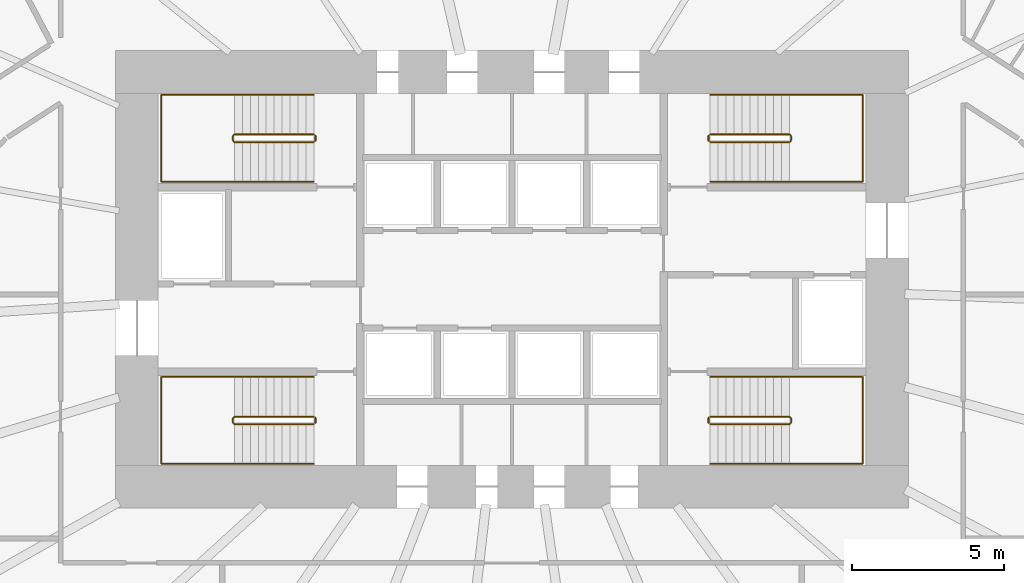
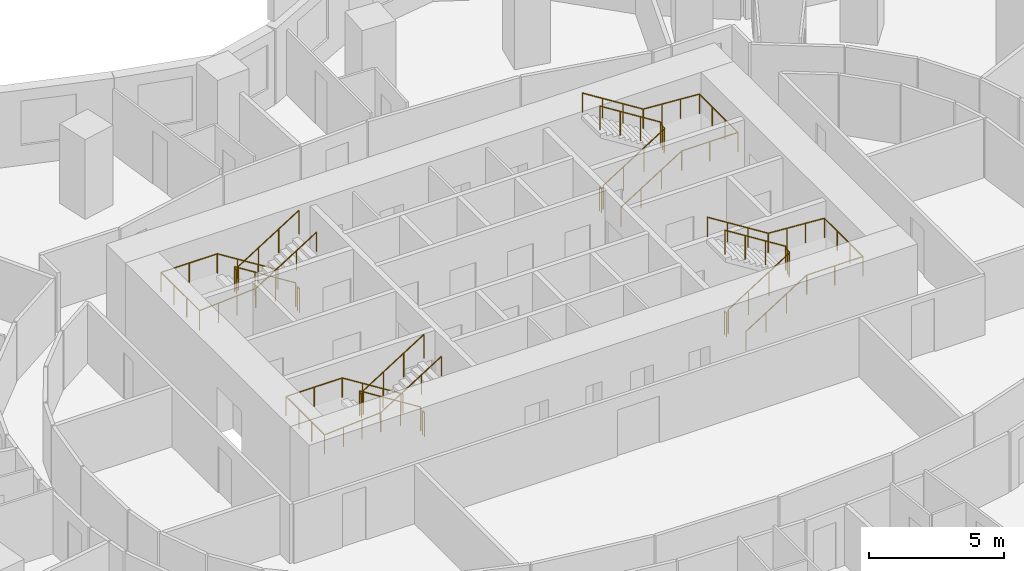
# One storey, part 11 of 11: 12 railings.
"""IFC4 building model written with IfcOpenShell, lengths in metres."""

from ifc_helpers import new_model, si_unit, direction, frame, origin, origin_2d, place, context, subcontext, project, spatial, circle, extrude, material, type_object, element, save


model = new_model("IFC4")

# Units and contexts
model_context = context("Model", 3, precision=1e-05, world=origin(), true_north=direction((0.0, 1.0)))
body_context = subcontext(model_context, "Body", "Model", "MODEL_VIEW")
ifc_project = project(units=[si_unit("LENGTHUNIT", "METRE"), si_unit("AREAUNIT", "SQUARE_METRE"), si_unit("VOLUMEUNIT", "CUBIC_METRE"), si_unit("PLANEANGLEUNIT", "RADIAN"), si_unit("MASSUNIT", "GRAM", prefix="KILO")], contexts=[model_context])

# Site, building, storey
site_placement = place(None, origin())
site = spatial("IfcSite", under=ifc_project, at=site_placement, CompositionType="ELEMENT")
building_placement = place(site_placement, origin())
building = spatial("IfcBuilding", under=site, at=building_placement, Name="Rubra Terraces Tower", CompositionType="ELEMENT")
storey_placement = place(building_placement, frame((0.0, 0.0, 48.300048828125)))
storey = spatial("IfcBuildingStorey", under=building, at=storey_placement, Name="L09", CompositionType="ELEMENT", Elevation=48.300048828125)

# Railings
ifc_material = material(Name="Stainless steel", Category="steel")
railing_type_1 = type_object("IfcRailingType", Name="Core stair guard 1100", PredefinedType="GUARDRAIL", material=ifc_material)
railing_1_placement = place(storey_placement, frame((-6.5, 0.0, 0.16357421875)))
element("IfcRailing", 1, at=railing_1_placement, inside=storey, type_object=railing_type_1, Name="L09 stair S1 guard 1", PredefinedType="GUARDRAIL", context=body_context, shape_type="SweptSolid", body=[
    extrude(circle(Radius=0.02392578125, at=origin_2d()), frame((0.0, 0.0, 1.076171875), z_axis=(-0.846324394277, 0.0, 0.532667832379), x_axis=(0.0, -1.0, 0.0)), (0.0, 0.0, 1.0), 3.072265625),
    extrude(circle(Radius=0.02392578125, at=origin_2d()), frame((-2.60009765625, 0.0, 2.71240234375), z_axis=(-0.705375805398, -0.708833529934, 0.0), x_axis=(0.708833529934, -0.705375805398, 0.0)), (0.0, 0.0, 1.0), 0.070556640625),
    extrude(circle(Radius=0.02392578125, at=origin_2d()), frame((-2.64990234375, -0.050048828125, 2.71240234375), z_axis=(0.0, -1.0, 0.0), x_axis=(1.0, 0.0, 0.0)), (0.0, 0.0, 1.0), 0.14990234375),
    extrude(circle(Radius=0.02392578125, at=origin_2d()), frame((-2.64990234375, -0.199951171875, 2.71240234375), z_axis=(0.279546231943, -0.280916556609, 0.91811752648), x_axis=(0.708833529934, 0.705375805398, 0.0)), (0.0, 0.0, 1.0), 0.17822265625),
    extrude(circle(Radius=0.02392578125, at=origin_2d()), frame((-2.60009765625, -0.25, 2.8759765625), z_axis=(0.846360218416, 0.0, 0.532610909279), x_axis=(0.0, 1.0, 0.0)), (0.0, 0.0, 1.0), 3.072021484375),
    extrude(circle(Radius=0.02099609375, at=origin_2d()), origin(), (0.0, 0.0, 1.0), 1.052001953125),
    extrude(circle(Radius=0.02099609375, at=origin_2d()), frame((-0.86669921875, 0.0, 0.54541015625)), (0.0, 0.0, 1.0), 1.052001953125),
    extrude(circle(Radius=0.02099609375, at=origin_2d()), frame((-1.7333984375, 0.0, 1.091064453125)), (0.0, 0.0, 1.0), 1.052001953125),
    extrude(circle(Radius=0.02099609375, at=origin_2d()), frame((-2.60009765625, 0.0, 1.636474609375)), (0.0, 0.0, 1.0), 1.052001953125),
    extrude(circle(Radius=0.02099609375, at=origin_2d()), frame((-2.64990234375, -0.050048828125, 1.636474609375)), (0.0, 0.0, 1.0), 1.052001953125),
    extrude(circle(Radius=0.02099609375, at=origin_2d()), frame((-2.64990234375, -0.199951171875, 1.636474609375)), (0.0, 0.0, 1.0), 1.052001953125),
    extrude(circle(Radius=0.02099609375, at=origin_2d()), frame((-2.60009765625, -0.25, 1.800048828125)), (0.0, 0.0, 1.0), 1.052001953125),
    extrude(circle(Radius=0.02099609375, at=origin_2d()), frame((-1.7333984375, -0.25, 2.345458984375)), (0.0, 0.0, 1.0), 1.052001953125),
    extrude(circle(Radius=0.02099609375, at=origin_2d()), frame((-0.86669921875, -0.25, 2.890869140625)), (0.0, 0.0, 1.0), 1.052001953125),
    extrude(circle(Radius=0.02099609375, at=origin_2d()), frame((0.0, -0.25, 3.436279296875)), (0.0, 0.0, 1.0), 1.052001953125),
])
railing_2_placement = place(storey_placement, frame((-6.449951171875, -0.050048828125, 0.0)))
element("IfcRailing", 2, at=railing_2_placement, inside=storey, type_object=railing_type_1, Name="L09 stair S1 guard 2", PredefinedType="GUARDRAIL", context=body_context, shape_type="SweptSolid", body=[
    extrude(circle(Radius=0.02392578125, at=origin_2d()), frame((0.0, 0.0, 1.076171875), z_axis=(0.0, -1.0, 0.0), x_axis=(1.0, 0.0, 0.0)), (0.0, 0.0, 1.0), 0.14990234375),
    extrude(circle(Radius=0.02099609375, at=origin_2d()), origin(), (0.0, 0.0, 1.0), 1.052001953125),
    extrude(circle(Radius=0.02099609375, at=origin_2d()), frame((0.0, -0.14990234375, 0.0)), (0.0, 0.0, 1.0), 1.052001953125),
])
railing_3_placement = place(storey_placement, frame((-6.5, 9.25, 0.16357421875)))
element("IfcRailing", 3, at=railing_3_placement, inside=storey, type_object=railing_type_1, Name="L09 stair S2 guard 1", PredefinedType="GUARDRAIL", context=body_context, shape_type="SweptSolid", body=[
    extrude(circle(Radius=0.02392578125, at=origin_2d()), frame((0.0, 0.0, 1.076171875), z_axis=(-0.846324394277, 0.0, 0.532667832379), x_axis=(0.0, -1.0, 0.0)), (0.0, 0.0, 1.0), 3.072265625),
    extrude(circle(Radius=0.02392578125, at=origin_2d()), frame((-2.60009765625, 0.0, 2.71240234375), z_axis=(-0.705375805398, -0.708833529934, 0.0), x_axis=(0.708833529934, -0.705375805398, 0.0)), (0.0, 0.0, 1.0), 0.070556640625),
    extrude(circle(Radius=0.02392578125, at=origin_2d()), frame((-2.64990234375, -0.050048828125, 2.71240234375), z_axis=(0.0, -1.0, 0.0), x_axis=(1.0, 0.0, 0.0)), (0.0, 0.0, 1.0), 0.14990234375),
    extrude(circle(Radius=0.02392578125, at=origin_2d()), frame((-2.64990234375, -0.199951171875, 2.71240234375), z_axis=(0.279546231943, -0.280916556609, 0.91811752648), x_axis=(0.708833529934, 0.705375805398, 0.0)), (0.0, 0.0, 1.0), 0.17822265625),
    extrude(circle(Radius=0.02392578125, at=origin_2d()), frame((-2.60009765625, -0.25, 2.8759765625), z_axis=(0.846360218416, 0.0, 0.532610909279), x_axis=(0.0, 1.0, 0.0)), (0.0, 0.0, 1.0), 3.072021484375),
    extrude(circle(Radius=0.02099609375, at=origin_2d()), origin(), (0.0, 0.0, 1.0), 1.052001953125),
    extrude(circle(Radius=0.02099609375, at=origin_2d()), frame((-0.86669921875, 0.0, 0.54541015625)), (0.0, 0.0, 1.0), 1.052001953125),
    extrude(circle(Radius=0.02099609375, at=origin_2d()), frame((-1.7333984375, 0.0, 1.091064453125)), (0.0, 0.0, 1.0), 1.052001953125),
    extrude(circle(Radius=0.02099609375, at=origin_2d()), frame((-2.60009765625, 0.0, 1.636474609375)), (0.0, 0.0, 1.0), 1.052001953125),
    extrude(circle(Radius=0.02099609375, at=origin_2d()), frame((-2.64990234375, -0.050048828125, 1.636474609375)), (0.0, 0.0, 1.0), 1.052001953125),
    extrude(circle(Radius=0.02099609375, at=origin_2d()), frame((-2.64990234375, -0.199951171875, 1.636474609375)), (0.0, 0.0, 1.0), 1.052001953125),
    extrude(circle(Radius=0.02099609375, at=origin_2d()), frame((-2.60009765625, -0.25, 1.800048828125)), (0.0, 0.0, 1.0), 1.052001953125),
    extrude(circle(Radius=0.02099609375, at=origin_2d()), frame((-1.7333984375, -0.25, 2.345458984375)), (0.0, 0.0, 1.0), 1.052001953125),
    extrude(circle(Radius=0.02099609375, at=origin_2d()), frame((-0.86669921875, -0.25, 2.890869140625)), (0.0, 0.0, 1.0), 1.052001953125),
    extrude(circle(Radius=0.02099609375, at=origin_2d()), frame((0.0, -0.25, 3.436279296875)), (0.0, 0.0, 1.0), 1.052001953125),
])
railing_4_placement = place(storey_placement, frame((-6.449951171875, 9.199951171875, 0.0)))
element("IfcRailing", 4, at=railing_4_placement, inside=storey, type_object=railing_type_1, Name="L09 stair S2 guard 2", PredefinedType="GUARDRAIL", context=body_context, shape_type="SweptSolid", body=[
    extrude(circle(Radius=0.02392578125, at=origin_2d()), frame((0.0, 0.0, 1.076171875), z_axis=(0.0, -1.0, 0.0), x_axis=(1.0, 0.0, 0.0)), (0.0, 0.0, 1.0), 0.14990234375),
    extrude(circle(Radius=0.02099609375, at=origin_2d()), origin(), (0.0, 0.0, 1.0), 1.052001953125),
    extrude(circle(Radius=0.02099609375, at=origin_2d()), frame((0.0, -0.14990234375, 0.0)), (0.0, 0.0, 1.0), 1.052001953125),
])
railing_5_placement = place(storey_placement, frame((6.5, 9.0, 0.16357421875)))
element("IfcRailing", 5, at=railing_5_placement, inside=storey, type_object=railing_type_1, Name="L09 stair S3 guard 1", PredefinedType="GUARDRAIL", context=body_context, shape_type="SweptSolid", body=[
    extrude(circle(Radius=0.02392578125, at=origin_2d()), frame((0.0, 0.0, 1.076171875), z_axis=(0.846324394277, 0.0, 0.532667832379), x_axis=(0.0, 1.0, 0.0)), (0.0, 0.0, 1.0), 3.072265625),
    extrude(circle(Radius=0.02392578125, at=origin_2d()), frame((2.60009765625, 0.0, 2.71240234375), z_axis=(0.705375805398, 0.708833529934, 0.0), x_axis=(-0.708833529934, 0.705375805398, 0.0)), (0.0, 0.0, 1.0), 0.070556640625),
    extrude(circle(Radius=0.02392578125, at=origin_2d()), frame((2.64990234375, 0.050048828125, 2.71240234375), z_axis=(0.0, 1.0, 0.0), x_axis=(-1.0, 0.0, 0.0)), (0.0, 0.0, 1.0), 0.14990234375),
    extrude(circle(Radius=0.02392578125, at=origin_2d()), frame((2.64990234375, 0.199951171875, 2.71240234375), z_axis=(-0.279546231943, 0.280916556609, 0.91811752648), x_axis=(-0.708833529934, -0.705375805398, 0.0)), (0.0, 0.0, 1.0), 0.17822265625),
    extrude(circle(Radius=0.02392578125, at=origin_2d()), frame((2.60009765625, 0.25, 2.8759765625), z_axis=(-0.846360218416, 0.0, 0.532610909279), x_axis=(0.0, -1.0, 0.0)), (0.0, 0.0, 1.0), 3.072021484375),
    extrude(circle(Radius=0.02099609375, at=origin_2d()), origin(), (0.0, 0.0, 1.0), 1.052001953125),
    extrude(circle(Radius=0.02099609375, at=origin_2d()), frame((0.86669921875, 0.0, 0.54541015625)), (0.0, 0.0, 1.0), 1.052001953125),
    extrude(circle(Radius=0.02099609375, at=origin_2d()), frame((1.7333984375, 0.0, 1.091064453125)), (0.0, 0.0, 1.0), 1.052001953125),
    extrude(circle(Radius=0.02099609375, at=origin_2d()), frame((2.60009765625, 0.0, 1.636474609375)), (0.0, 0.0, 1.0), 1.052001953125),
    extrude(circle(Radius=0.02099609375, at=origin_2d()), frame((2.64990234375, 0.050048828125, 1.636474609375)), (0.0, 0.0, 1.0), 1.052001953125),
    extrude(circle(Radius=0.02099609375, at=origin_2d()), frame((2.64990234375, 0.199951171875, 1.636474609375)), (0.0, 0.0, 1.0), 1.052001953125),
    extrude(circle(Radius=0.02099609375, at=origin_2d()), frame((2.60009765625, 0.25, 1.800048828125)), (0.0, 0.0, 1.0), 1.052001953125),
    extrude(circle(Radius=0.02099609375, at=origin_2d()), frame((1.7333984375, 0.25, 2.345458984375)), (0.0, 0.0, 1.0), 1.052001953125),
    extrude(circle(Radius=0.02099609375, at=origin_2d()), frame((0.86669921875, 0.25, 2.890869140625)), (0.0, 0.0, 1.0), 1.052001953125),
    extrude(circle(Radius=0.02099609375, at=origin_2d()), frame((0.0, 0.25, 3.436279296875)), (0.0, 0.0, 1.0), 1.052001953125),
])
railing_6_placement = place(storey_placement, frame((6.449951171875, 9.050048828125, 0.0)))
element("IfcRailing", 6, at=railing_6_placement, inside=storey, type_object=railing_type_1, Name="L09 stair S3 guard 2", PredefinedType="GUARDRAIL", context=body_context, shape_type="SweptSolid", body=[
    extrude(circle(Radius=0.02392578125, at=origin_2d()), frame((0.0, 0.0, 1.076171875), z_axis=(0.0, 1.0, 0.0), x_axis=(-1.0, 0.0, 0.0)), (0.0, 0.0, 1.0), 0.14990234375),
    extrude(circle(Radius=0.02099609375, at=origin_2d()), origin(), (0.0, 0.0, 1.0), 1.052001953125),
    extrude(circle(Radius=0.02099609375, at=origin_2d()), frame((0.0, 0.14990234375, 0.0)), (0.0, 0.0, 1.0), 1.052001953125),
])
railing_7_placement = place(storey_placement, frame((6.5, -0.25, 0.16357421875)))
element("IfcRailing", 7, at=railing_7_placement, inside=storey, type_object=railing_type_1, Name="L09 stair S4 guard 1", PredefinedType="GUARDRAIL", context=body_context, shape_type="SweptSolid", body=[
    extrude(circle(Radius=0.02392578125, at=origin_2d()), frame((0.0, 0.0, 1.076171875), z_axis=(0.846324394277, 0.0, 0.532667832379), x_axis=(0.0, 1.0, 0.0)), (0.0, 0.0, 1.0), 3.072265625),
    extrude(circle(Radius=0.02392578125, at=origin_2d()), frame((2.60009765625, 0.0, 2.71240234375), z_axis=(0.705375805398, 0.708833529934, 0.0), x_axis=(-0.708833529934, 0.705375805398, 0.0)), (0.0, 0.0, 1.0), 0.070556640625),
    extrude(circle(Radius=0.02392578125, at=origin_2d()), frame((2.64990234375, 0.050048828125, 2.71240234375), z_axis=(0.0, 1.0, 0.0), x_axis=(-1.0, 0.0, 0.0)), (0.0, 0.0, 1.0), 0.14990234375),
    extrude(circle(Radius=0.02392578125, at=origin_2d()), frame((2.64990234375, 0.199951171875, 2.71240234375), z_axis=(-0.279546231943, 0.280916556609, 0.91811752648), x_axis=(-0.708833529934, -0.705375805398, 0.0)), (0.0, 0.0, 1.0), 0.17822265625),
    extrude(circle(Radius=0.02392578125, at=origin_2d()), frame((2.60009765625, 0.25, 2.8759765625), z_axis=(-0.846360218416, 0.0, 0.532610909279), x_axis=(0.0, -1.0, 0.0)), (0.0, 0.0, 1.0), 3.072021484375),
    extrude(circle(Radius=0.02099609375, at=origin_2d()), origin(), (0.0, 0.0, 1.0), 1.052001953125),
    extrude(circle(Radius=0.02099609375, at=origin_2d()), frame((0.86669921875, 0.0, 0.54541015625)), (0.0, 0.0, 1.0), 1.052001953125),
    extrude(circle(Radius=0.02099609375, at=origin_2d()), frame((1.7333984375, 0.0, 1.091064453125)), (0.0, 0.0, 1.0), 1.052001953125),
    extrude(circle(Radius=0.02099609375, at=origin_2d()), frame((2.60009765625, 0.0, 1.636474609375)), (0.0, 0.0, 1.0), 1.052001953125),
    extrude(circle(Radius=0.02099609375, at=origin_2d()), frame((2.64990234375, 0.050048828125, 1.636474609375)), (0.0, 0.0, 1.0), 1.052001953125),
    extrude(circle(Radius=0.02099609375, at=origin_2d()), frame((2.64990234375, 0.199951171875, 1.636474609375)), (0.0, 0.0, 1.0), 1.052001953125),
    extrude(circle(Radius=0.02099609375, at=origin_2d()), frame((2.60009765625, 0.25, 1.800048828125)), (0.0, 0.0, 1.0), 1.052001953125),
    extrude(circle(Radius=0.02099609375, at=origin_2d()), frame((1.7333984375, 0.25, 2.345458984375)), (0.0, 0.0, 1.0), 1.052001953125),
    extrude(circle(Radius=0.02099609375, at=origin_2d()), frame((0.86669921875, 0.25, 2.890869140625)), (0.0, 0.0, 1.0), 1.052001953125),
    extrude(circle(Radius=0.02099609375, at=origin_2d()), frame((0.0, 0.25, 3.436279296875)), (0.0, 0.0, 1.0), 1.052001953125),
])
railing_8_placement = place(storey_placement, frame((6.449951171875, -0.199951171875, 0.0)))
element("IfcRailing", 8, at=railing_8_placement, inside=storey, type_object=railing_type_1, Name="L09 stair S4 guard 2", PredefinedType="GUARDRAIL", context=body_context, shape_type="SweptSolid", body=[
    extrude(circle(Radius=0.02392578125, at=origin_2d()), frame((0.0, 0.0, 1.076171875), z_axis=(0.0, 1.0, 0.0), x_axis=(-1.0, 0.0, 0.0)), (0.0, 0.0, 1.0), 0.14990234375),
    extrude(circle(Radius=0.02099609375, at=origin_2d()), origin(), (0.0, 0.0, 1.0), 1.052001953125),
    extrude(circle(Radius=0.02099609375, at=origin_2d()), frame((0.0, 0.14990234375, 0.0)), (0.0, 0.0, 1.0), 1.052001953125),
])
railing_type_2 = type_object("IfcRailingType", Name="Core stair handrail 900", PredefinedType="HANDRAIL", material=ifc_material)
railing_9_placement = place(storey_placement, frame((-6.5, 1.300048828125, 0.16357421875)))
element("IfcRailing", 9, at=railing_9_placement, inside=storey, type_object=railing_type_2, Name="L09 stair S1 handrail 1", PredefinedType="HANDRAIL", context=body_context, shape_type="SweptSolid", body=[
    extrude(circle(Radius=0.02392578125, at=origin_2d()), frame((0.0, 0.0, 0.8759765625), z_axis=(-0.846324394277, 0.0, 0.532667832379), x_axis=(0.0, -1.0, 0.0)), (0.0, 0.0, 1.0), 3.072265625),
    extrude(circle(Radius=0.02392578125, at=origin_2d()), frame((-2.60009765625, 0.0, 2.51220703125), z_axis=(-1.0, 0.0, 0.0), x_axis=(0.0, -1.0, 0.0)), (0.0, 0.0, 1.0), 2.39990234375),
    extrude(circle(Radius=0.02392578125, at=origin_2d()), frame((-5.0, 0.0, 2.51220703125), z_axis=(0.0, -1.0, 0.0), x_axis=(1.0, 0.0, 0.0)), (0.0, 0.0, 1.0), 2.85009765625),
    extrude(circle(Radius=0.02392578125, at=origin_2d()), frame((-5.0, -2.85009765625, 2.51220703125), z_axis=(0.997685257876, 0.0, 0.068000928055), x_axis=(0.0, 1.0, 0.0)), (0.0, 0.0, 1.0), 2.405517578125),
    extrude(circle(Radius=0.02392578125, at=origin_2d()), frame((-2.60009765625, -2.85009765625, 2.67578125), z_axis=(0.846360218416, 0.0, 0.532610909279), x_axis=(0.0, 1.0, 0.0)), (0.0, 0.0, 1.0), 3.072021484375),
    extrude(circle(Radius=0.02099609375, at=origin_2d()), origin(), (0.0, 0.0, 1.0), 0.851806640625),
    extrude(circle(Radius=0.02099609375, at=origin_2d()), frame((-0.86669921875, 0.0, 0.54541015625)), (0.0, 0.0, 1.0), 0.851806640625),
    extrude(circle(Radius=0.02099609375, at=origin_2d()), frame((-1.7333984375, 0.0, 1.091064453125)), (0.0, 0.0, 1.0), 0.851806640625),
    extrude(circle(Radius=0.02099609375, at=origin_2d()), frame((-2.60009765625, 0.0, 1.636474609375)), (0.0, 0.0, 1.0), 0.851806640625),
    extrude(circle(Radius=0.02099609375, at=origin_2d()), frame((-3.800048828125, 0.0, 1.636474609375)), (0.0, 0.0, 1.0), 0.851806640625),
    extrude(circle(Radius=0.02099609375, at=origin_2d()), frame((-5.0, 0.0, 1.636474609375)), (0.0, 0.0, 1.0), 0.851806640625),
    extrude(circle(Radius=0.02099609375, at=origin_2d()), frame((-5.0, -0.949951171875, 1.636474609375)), (0.0, 0.0, 1.0), 0.851806640625),
    extrude(circle(Radius=0.02099609375, at=origin_2d()), frame((-5.0, -1.900146484375, 1.636474609375)), (0.0, 0.0, 1.0), 0.851806640625),
    extrude(circle(Radius=0.02099609375, at=origin_2d()), frame((-5.0, -2.85009765625, 1.636474609375)), (0.0, 0.0, 1.0), 0.851806640625),
    extrude(circle(Radius=0.02099609375, at=origin_2d()), frame((-4.199951171875, -2.85009765625, 1.69091796875)), (0.0, 0.0, 1.0), 0.851806640625),
    extrude(circle(Radius=0.02099609375, at=origin_2d()), frame((-3.400146484375, -2.85009765625, 1.74560546875)), (0.0, 0.0, 1.0), 0.851806640625),
    extrude(circle(Radius=0.02099609375, at=origin_2d()), frame((-2.60009765625, -2.85009765625, 1.800048828125)), (0.0, 0.0, 1.0), 0.851806640625),
    extrude(circle(Radius=0.02099609375, at=origin_2d()), frame((-1.7333984375, -2.85009765625, 2.345458984375)), (0.0, 0.0, 1.0), 0.851806640625),
    extrude(circle(Radius=0.02099609375, at=origin_2d()), frame((-0.86669921875, -2.85009765625, 2.890869140625)), (0.0, 0.0, 1.0), 0.851806640625),
    extrude(circle(Radius=0.02099609375, at=origin_2d()), frame((0.0, -2.85009765625, 3.436279296875)), (0.0, 0.0, 1.0), 0.851806640625),
])
railing_10_placement = place(storey_placement, frame((-6.5, 10.550048828125, 0.16357421875)))
element("IfcRailing", 10, at=railing_10_placement, inside=storey, type_object=railing_type_2, Name="L09 stair S2 handrail 1", PredefinedType="HANDRAIL", context=body_context, shape_type="SweptSolid", body=[
    extrude(circle(Radius=0.02392578125, at=origin_2d()), frame((0.0, 0.0, 0.8759765625), z_axis=(-0.846324394277, 0.0, 0.532667832379), x_axis=(0.0, -1.0, 0.0)), (0.0, 0.0, 1.0), 3.072265625),
    extrude(circle(Radius=0.02392578125, at=origin_2d()), frame((-2.60009765625, 0.0, 2.51220703125), z_axis=(-1.0, 0.0, 0.0), x_axis=(0.0, -1.0, 0.0)), (0.0, 0.0, 1.0), 2.39990234375),
    extrude(circle(Radius=0.02392578125, at=origin_2d()), frame((-5.0, 0.0, 2.51220703125), z_axis=(0.0, -1.0, 0.0), x_axis=(1.0, 0.0, 0.0)), (0.0, 0.0, 1.0), 2.85009765625),
    extrude(circle(Radius=0.02392578125, at=origin_2d()), frame((-5.0, -2.85009765625, 2.51220703125), z_axis=(0.997685257876, 0.0, 0.068000928055), x_axis=(0.0, 1.0, 0.0)), (0.0, 0.0, 1.0), 2.405517578125),
    extrude(circle(Radius=0.02392578125, at=origin_2d()), frame((-2.60009765625, -2.85009765625, 2.67578125), z_axis=(0.846360218416, 0.0, 0.532610909279), x_axis=(0.0, 1.0, 0.0)), (0.0, 0.0, 1.0), 3.072021484375),
    extrude(circle(Radius=0.02099609375, at=origin_2d()), origin(), (0.0, 0.0, 1.0), 0.851806640625),
    extrude(circle(Radius=0.02099609375, at=origin_2d()), frame((-0.86669921875, 0.0, 0.54541015625)), (0.0, 0.0, 1.0), 0.851806640625),
    extrude(circle(Radius=0.02099609375, at=origin_2d()), frame((-1.7333984375, 0.0, 1.091064453125)), (0.0, 0.0, 1.0), 0.851806640625),
    extrude(circle(Radius=0.02099609375, at=origin_2d()), frame((-2.60009765625, 0.0, 1.636474609375)), (0.0, 0.0, 1.0), 0.851806640625),
    extrude(circle(Radius=0.02099609375, at=origin_2d()), frame((-3.800048828125, 0.0, 1.636474609375)), (0.0, 0.0, 1.0), 0.851806640625),
    extrude(circle(Radius=0.02099609375, at=origin_2d()), frame((-5.0, 0.0, 1.636474609375)), (0.0, 0.0, 1.0), 0.851806640625),
    extrude(circle(Radius=0.02099609375, at=origin_2d()), frame((-5.0, -0.949951171875, 1.636474609375)), (0.0, 0.0, 1.0), 0.851806640625),
    extrude(circle(Radius=0.02099609375, at=origin_2d()), frame((-5.0, -1.900146484375, 1.636474609375)), (0.0, 0.0, 1.0), 0.851806640625),
    extrude(circle(Radius=0.02099609375, at=origin_2d()), frame((-5.0, -2.85009765625, 1.636474609375)), (0.0, 0.0, 1.0), 0.851806640625),
    extrude(circle(Radius=0.02099609375, at=origin_2d()), frame((-4.199951171875, -2.85009765625, 1.69091796875)), (0.0, 0.0, 1.0), 0.851806640625),
    extrude(circle(Radius=0.02099609375, at=origin_2d()), frame((-3.400146484375, -2.85009765625, 1.74560546875)), (0.0, 0.0, 1.0), 0.851806640625),
    extrude(circle(Radius=0.02099609375, at=origin_2d()), frame((-2.60009765625, -2.85009765625, 1.800048828125)), (0.0, 0.0, 1.0), 0.851806640625),
    extrude(circle(Radius=0.02099609375, at=origin_2d()), frame((-1.7333984375, -2.85009765625, 2.345458984375)), (0.0, 0.0, 1.0), 0.851806640625),
    extrude(circle(Radius=0.02099609375, at=origin_2d()), frame((-0.86669921875, -2.85009765625, 2.890869140625)), (0.0, 0.0, 1.0), 0.851806640625),
    extrude(circle(Radius=0.02099609375, at=origin_2d()), frame((0.0, -2.85009765625, 3.436279296875)), (0.0, 0.0, 1.0), 0.851806640625),
])
railing_11_placement = place(storey_placement, frame((6.5, 7.699951171875, 0.16357421875)))
element("IfcRailing", 11, at=railing_11_placement, inside=storey, type_object=railing_type_2, Name="L09 stair S3 handrail 1", PredefinedType="HANDRAIL", context=body_context, shape_type="SweptSolid", body=[
    extrude(circle(Radius=0.02392578125, at=origin_2d()), frame((0.0, 0.0, 0.8759765625), z_axis=(0.846324394277, 0.0, 0.532667832379), x_axis=(0.0, 1.0, 0.0)), (0.0, 0.0, 1.0), 3.072265625),
    extrude(circle(Radius=0.02392578125, at=origin_2d()), frame((2.60009765625, 0.0, 2.51220703125), z_axis=(1.0, 0.0, 0.0), x_axis=(0.0, 1.0, 0.0)), (0.0, 0.0, 1.0), 2.39990234375),
    extrude(circle(Radius=0.02392578125, at=origin_2d()), frame((5.0, 0.0, 2.51220703125), z_axis=(0.0, 1.0, 0.0), x_axis=(-1.0, 0.0, 0.0)), (0.0, 0.0, 1.0), 2.85009765625),
    extrude(circle(Radius=0.02392578125, at=origin_2d()), frame((5.0, 2.85009765625, 2.51220703125), z_axis=(-0.997685257876, 0.0, 0.068000928055), x_axis=(0.0, -1.0, 0.0)), (0.0, 0.0, 1.0), 2.405517578125),
    extrude(circle(Radius=0.02392578125, at=origin_2d()), frame((2.60009765625, 2.85009765625, 2.67578125), z_axis=(-0.846360218416, 0.0, 0.532610909279), x_axis=(0.0, -1.0, 0.0)), (0.0, 0.0, 1.0), 3.072021484375),
    extrude(circle(Radius=0.02099609375, at=origin_2d()), origin(), (0.0, 0.0, 1.0), 0.851806640625),
    extrude(circle(Radius=0.02099609375, at=origin_2d()), frame((0.86669921875, 0.0, 0.54541015625)), (0.0, 0.0, 1.0), 0.851806640625),
    extrude(circle(Radius=0.02099609375, at=origin_2d()), frame((1.7333984375, 0.0, 1.091064453125)), (0.0, 0.0, 1.0), 0.851806640625),
    extrude(circle(Radius=0.02099609375, at=origin_2d()), frame((2.60009765625, 0.0, 1.636474609375)), (0.0, 0.0, 1.0), 0.851806640625),
    extrude(circle(Radius=0.02099609375, at=origin_2d()), frame((3.800048828125, 0.0, 1.636474609375)), (0.0, 0.0, 1.0), 0.851806640625),
    extrude(circle(Radius=0.02099609375, at=origin_2d()), frame((5.0, 0.0, 1.636474609375)), (0.0, 0.0, 1.0), 0.851806640625),
    extrude(circle(Radius=0.02099609375, at=origin_2d()), frame((5.0, 0.949951171875, 1.636474609375)), (0.0, 0.0, 1.0), 0.851806640625),
    extrude(circle(Radius=0.02099609375, at=origin_2d()), frame((5.0, 1.900146484375, 1.636474609375)), (0.0, 0.0, 1.0), 0.851806640625),
    extrude(circle(Radius=0.02099609375, at=origin_2d()), frame((5.0, 2.85009765625, 1.636474609375)), (0.0, 0.0, 1.0), 0.851806640625),
    extrude(circle(Radius=0.02099609375, at=origin_2d()), frame((4.199951171875, 2.85009765625, 1.69091796875)), (0.0, 0.0, 1.0), 0.851806640625),
    extrude(circle(Radius=0.02099609375, at=origin_2d()), frame((3.400146484375, 2.85009765625, 1.74560546875)), (0.0, 0.0, 1.0), 0.851806640625),
    extrude(circle(Radius=0.02099609375, at=origin_2d()), frame((2.60009765625, 2.85009765625, 1.800048828125)), (0.0, 0.0, 1.0), 0.851806640625),
    extrude(circle(Radius=0.02099609375, at=origin_2d()), frame((1.7333984375, 2.85009765625, 2.345458984375)), (0.0, 0.0, 1.0), 0.851806640625),
    extrude(circle(Radius=0.02099609375, at=origin_2d()), frame((0.86669921875, 2.85009765625, 2.890869140625)), (0.0, 0.0, 1.0), 0.851806640625),
    extrude(circle(Radius=0.02099609375, at=origin_2d()), frame((0.0, 2.85009765625, 3.436279296875)), (0.0, 0.0, 1.0), 0.851806640625),
])
railing_12_placement = place(storey_placement, frame((6.5, -1.550048828125, 0.16357421875)))
element("IfcRailing", 12, at=railing_12_placement, inside=storey, type_object=railing_type_2, Name="L09 stair S4 handrail 1", PredefinedType="HANDRAIL", context=body_context, shape_type="SweptSolid", body=[
    extrude(circle(Radius=0.02392578125, at=origin_2d()), frame((0.0, 0.0, 0.8759765625), z_axis=(0.846324394277, 0.0, 0.532667832379), x_axis=(0.0, 1.0, 0.0)), (0.0, 0.0, 1.0), 3.072265625),
    extrude(circle(Radius=0.02392578125, at=origin_2d()), frame((2.60009765625, 0.0, 2.51220703125), z_axis=(1.0, 0.0, 0.0), x_axis=(0.0, 1.0, 0.0)), (0.0, 0.0, 1.0), 2.39990234375),
    extrude(circle(Radius=0.02392578125, at=origin_2d()), frame((5.0, 0.0, 2.51220703125), z_axis=(0.0, 1.0, 0.0), x_axis=(-1.0, 0.0, 0.0)), (0.0, 0.0, 1.0), 2.85009765625),
    extrude(circle(Radius=0.02392578125, at=origin_2d()), frame((5.0, 2.85009765625, 2.51220703125), z_axis=(-0.997685257876, 0.0, 0.068000928055), x_axis=(0.0, -1.0, 0.0)), (0.0, 0.0, 1.0), 2.405517578125),
    extrude(circle(Radius=0.02392578125, at=origin_2d()), frame((2.60009765625, 2.85009765625, 2.67578125), z_axis=(-0.846360218416, 0.0, 0.532610909279), x_axis=(0.0, -1.0, 0.0)), (0.0, 0.0, 1.0), 3.072021484375),
    extrude(circle(Radius=0.02099609375, at=origin_2d()), origin(), (0.0, 0.0, 1.0), 0.851806640625),
    extrude(circle(Radius=0.02099609375, at=origin_2d()), frame((0.86669921875, 0.0, 0.54541015625)), (0.0, 0.0, 1.0), 0.851806640625),
    extrude(circle(Radius=0.02099609375, at=origin_2d()), frame((1.7333984375, 0.0, 1.091064453125)), (0.0, 0.0, 1.0), 0.851806640625),
    extrude(circle(Radius=0.02099609375, at=origin_2d()), frame((2.60009765625, 0.0, 1.636474609375)), (0.0, 0.0, 1.0), 0.851806640625),
    extrude(circle(Radius=0.02099609375, at=origin_2d()), frame((3.800048828125, 0.0, 1.636474609375)), (0.0, 0.0, 1.0), 0.851806640625),
    extrude(circle(Radius=0.02099609375, at=origin_2d()), frame((5.0, 0.0, 1.636474609375)), (0.0, 0.0, 1.0), 0.851806640625),
    extrude(circle(Radius=0.02099609375, at=origin_2d()), frame((5.0, 0.949951171875, 1.636474609375)), (0.0, 0.0, 1.0), 0.851806640625),
    extrude(circle(Radius=0.02099609375, at=origin_2d()), frame((5.0, 1.900146484375, 1.636474609375)), (0.0, 0.0, 1.0), 0.851806640625),
    extrude(circle(Radius=0.02099609375, at=origin_2d()), frame((5.0, 2.85009765625, 1.636474609375)), (0.0, 0.0, 1.0), 0.851806640625),
    extrude(circle(Radius=0.02099609375, at=origin_2d()), frame((4.199951171875, 2.85009765625, 1.69091796875)), (0.0, 0.0, 1.0), 0.851806640625),
    extrude(circle(Radius=0.02099609375, at=origin_2d()), frame((3.400146484375, 2.85009765625, 1.74560546875)), (0.0, 0.0, 1.0), 0.851806640625),
    extrude(circle(Radius=0.02099609375, at=origin_2d()), frame((2.60009765625, 2.85009765625, 1.800048828125)), (0.0, 0.0, 1.0), 0.851806640625),
    extrude(circle(Radius=0.02099609375, at=origin_2d()), frame((1.7333984375, 2.85009765625, 2.345458984375)), (0.0, 0.0, 1.0), 0.851806640625),
    extrude(circle(Radius=0.02099609375, at=origin_2d()), frame((0.86669921875, 2.85009765625, 2.890869140625)), (0.0, 0.0, 1.0), 0.851806640625),
    extrude(circle(Radius=0.02099609375, at=origin_2d()), frame((0.0, 2.85009765625, 3.436279296875)), (0.0, 0.0, 1.0), 0.851806640625),
])

save(model, "model.ifc")
